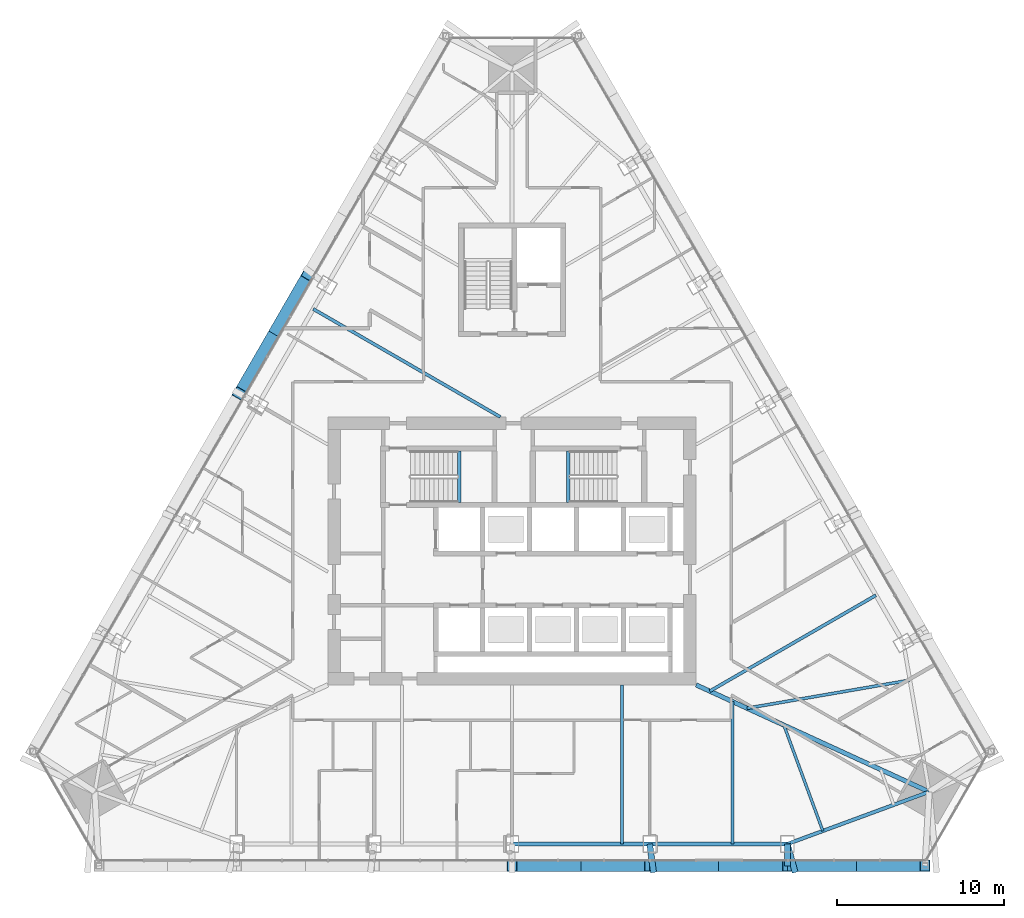
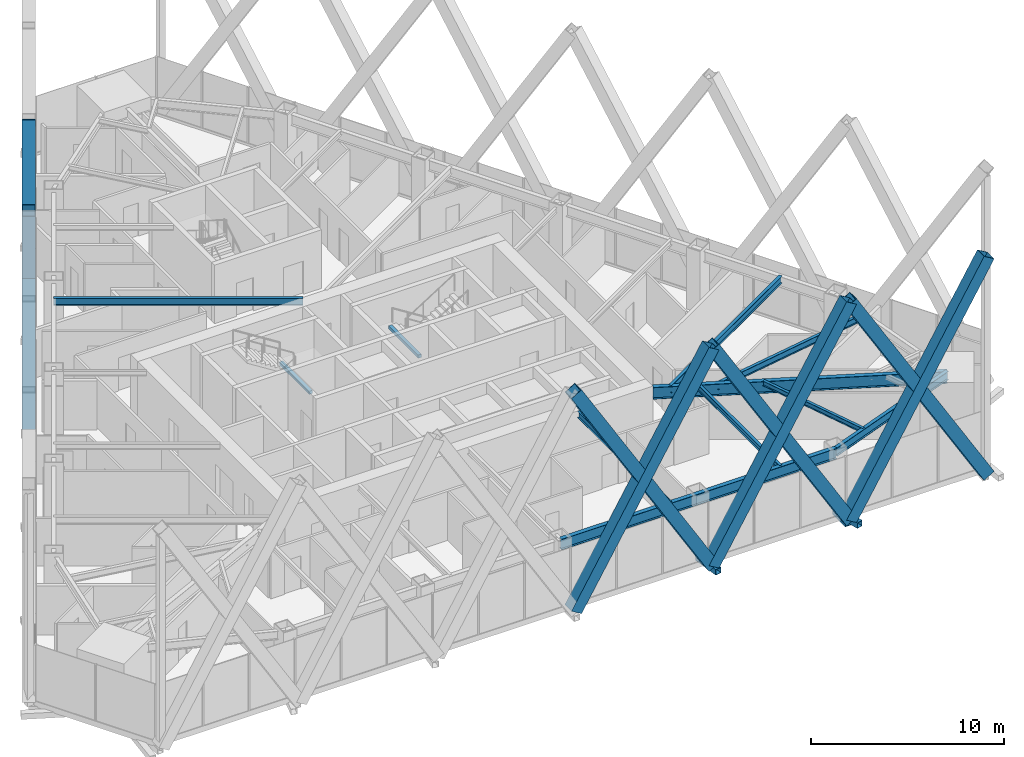
# One storey, part 6 of 19: 11 beams, 11 members.
"""IFC4 building model written with IfcOpenShell, lengths in metres."""

import ifcopenshell
import ifcopenshell.guid

model = None  # the IFC model being written
_history = None  # IfcOwnerHistory: only IFC2X3 demands one
_inside = {}  # id of a spatial element -> (the spatial element, [elements in it])
_under = {}  # id of a project, library or spatial element -> (it, [spatial elements below it])
_declared = {}  # id of a project -> (the project, [libraries it declares])
_typed = {}  # id of a type object -> (the type object, [elements of that type])
_made_of = {}  # id of a material, layer set ... -> (it, [elements and type objects made of it])


def new_model(schema):
    """Start an empty IFC model of exactly this schema.

    Asked for "IFC4X3", IfcOpenShell would pick the latest addendum, in which some entities
    have other attributes; the version numbers below select the first issue.
    IFC2X3 requires an IfcOwnerHistory on every rooted entity: one is made here for all.
    """
    global model, _history
    if schema == "IFC4X3":
        model = ifcopenshell.file(schema_version=(4, 3, 0, 0))
    else:
        model = ifcopenshell.file(schema=schema)
    _inside.clear()
    _under.clear()
    _declared.clear()
    _typed.clear()
    _made_of.clear()
    _history = None
    if model.schema == "IFC2X3":
        org = make("IfcOrganization", Name="unknown")
        user = make(
            "IfcPersonAndOrganization",
            ThePerson=make("IfcPerson", FamilyName="unknown"),
            TheOrganization=org,
        )
        app = make(
            "IfcApplication",
            ApplicationDeveloper=org,
            Version="unknown",
            ApplicationFullName="unknown",
            ApplicationIdentifier="unknown",
        )
        _history = make(
            "IfcOwnerHistory",
            OwningUser=user,
            OwningApplication=app,
            ChangeAction="ADDED",
            CreationDate=0,
        )
    return model


def make(cls, **values):
    """One entity of the class cls with the attributes given. An attribute that is None is left unset."""
    return model.create_entity(
        cls, **{name: value for name, value in values.items() if value is not None}
    )


def rooted(cls, **values):
    """An entity with a GlobalId (a new one), such as an element, a storey or a relation."""
    return make(cls, GlobalId=ifcopenshell.guid.new(), OwnerHistory=_history, **values)


def si_unit(unit_type, name, prefix=None):
    """IfcSIUnit, for example si_unit("LENGTHUNIT", "METRE", prefix="MILLI")."""
    return make("IfcSIUnit", UnitType=unit_type, Prefix=prefix, Name=name)


def assignment(units):
    """IfcUnitAssignment: the units of a project."""
    return None if units is None else make("IfcUnitAssignment", Units=units)


def point(xyz):
    """IfcCartesianPoint."""
    return None if xyz is None else make("IfcCartesianPoint", Coordinates=xyz)


def direction(xyz):
    """IfcDirection."""
    return None if xyz is None else make("IfcDirection", DirectionRatios=xyz)


def frame(location, z_axis=None, x_axis=None):
    """IfcAxis2Placement3D, a coordinate frame: its origin and axes. An axis left out is left unset."""
    return make(
        "IfcAxis2Placement3D",
        Location=point(location),
        Axis=direction(z_axis),
        RefDirection=direction(x_axis),
    )


def frame_2d(location, x_axis=None):
    """IfcAxis2Placement2D, a coordinate frame in the plane: its origin and x axis."""
    return make(
        "IfcAxis2Placement2D", Location=point(location), RefDirection=direction(x_axis)
    )


def origin():
    """The frame at (0, 0, 0) with its axes left unset."""
    return frame((0.0, 0.0, 0.0))


def origin_2d():
    """The frame at (0, 0) in the plane with its x axis left unset."""
    return frame_2d((0.0, 0.0))


def place(relative_to, where):
    """IfcLocalPlacement: puts the frame where relative to a parent placement (None: the world)."""
    return make(
        "IfcLocalPlacement", PlacementRelTo=relative_to, RelativePlacement=where
    )


def context(
    kind, dimensions, precision=None, world=None, true_north=None, identifier=None
):
    """IfcGeometricRepresentationContext, for example the 3D "Model" context."""
    return make(
        "IfcGeometricRepresentationContext",
        ContextIdentifier=identifier,
        ContextType=kind,
        CoordinateSpaceDimension=dimensions,
        Precision=precision,
        WorldCoordinateSystem=world,
        TrueNorth=true_north,
    )


def subcontext(parent, identifier, kind, view, scale=None):
    """IfcGeometricRepresentationSubContext, for example "Body" below "Model"."""
    return make(
        "IfcGeometricRepresentationSubContext",
        ContextIdentifier=identifier,
        ContextType=kind,
        ParentContext=parent,
        TargetScale=scale,
        TargetView=view,
    )


def project(units=None, contexts=None):
    """IfcProject with its units and contexts."""
    return rooted(
        "IfcProject",
        Name="project",
        RepresentationContexts=contexts,
        UnitsInContext=assignment(units),
    )


def spatial(cls, under=None, at=None, **own):
    """A site, building, storey or space (cls), placed at a placement, below another one or the project."""
    s = rooted(cls, ObjectPlacement=at, **own)
    if under is not None:
        _under.setdefault(under.id(), (under, []))[1].append(s)
    return s


def profile(cls, at=None, kind="AREA", **sizes):
    """A parametric profile (cls). Its sizes go by their IFC names, for example OverallWidth=200.0."""
    return make(cls, ProfileType=kind, Position=at, **sizes)


def rectangle(**sizes):
    """IfcRectangleProfileDef."""
    return profile("IfcRectangleProfileDef", **sizes)


def hollow_rectangle(**sizes):
    """IfcRectangleHollowProfileDef."""
    return profile("IfcRectangleHollowProfileDef", **sizes)


def i_section(**sizes):
    """IfcIShapeProfileDef."""
    return profile("IfcIShapeProfileDef", **sizes)


def extrude(swept, where, along, depth):
    """IfcExtrudedAreaSolid: the profile swept, set in the frame where, extruded along a direction by depth."""
    return make(
        "IfcExtrudedAreaSolid",
        SweptArea=swept,
        Position=where,
        ExtrudedDirection=direction(along),
        Depth=depth,
    )


def shape(context_of_items, identifier, shape_type, items):
    """IfcShapeRepresentation: the items that make up one representation, for example the "Body"."""
    return make(
        "IfcShapeRepresentation",
        ContextOfItems=context_of_items,
        RepresentationIdentifier=identifier,
        RepresentationType=shape_type,
        Items=items,
    )


def material(Name=None, Category=None):
    """IfcMaterial."""
    return make("IfcMaterial", Name=Name, Category=Category)


def material_profile(
    of_material, cross_section, Name=None, Category=None, Priority=None
):
    """IfcMaterialProfile: a cross section and its material."""
    return make(
        "IfcMaterialProfile",
        Name=Name,
        Material=of_material,
        Profile=cross_section,
        Priority=Priority,
        Category=Category,
    )


def profile_set(profiles, Name=None, composite=None):
    """IfcMaterialProfileSet."""
    return make(
        "IfcMaterialProfileSet",
        Name=Name,
        MaterialProfiles=profiles,
        CompositeProfile=composite,
    )


def made_of(thing, what):
    """Note that an element or type object is made of a material, layer set ...; save() writes the relation."""
    if what is not None:
        _made_of.setdefault(what.id(), (what, []))[1].append(thing)
    return thing


def type_object(cls, material=None, **own):
    """A type object (cls), such as IfcWallType, which elements share."""
    return made_of(rooted(cls, **own), material)


def element(
    cls,
    number,
    at=None,
    inside=None,
    cuts=None,
    type_object=None,
    material=None,
    context=None,
    identifier="Body",
    shape_type=None,
    held_by="IfcProductDefinitionShape",
    body=None,
    shapes=None,
    **own,
):
    """One element of the class cls, such as IfcWall. Its Tag is "e" and its number.

    at: its placement. inside: the storey or other place that contains it. cuts: it is an
    opening in that element (IfcRelVoidsElement). A single representation is given by context,
    identifier, shape_type and body (its items); several are given by shapes. held_by: the class
    of the entity that holds the representations. save() writes the other relations.
    """
    e = rooted(cls, Tag="e%d" % number, ObjectPlacement=at, **own)
    if body is not None:
        shapes = [shape(context, identifier, shape_type, body)]
    if shapes is not None:
        e.Representation = make(held_by, Representations=shapes)
    if inside is not None:
        _inside.setdefault(inside.id(), (inside, []))[1].append(e)
    if cuts is not None:
        rooted(
            "IfcRelVoidsElement", RelatingBuildingElement=cuts, RelatedOpeningElement=e
        )
    if type_object is not None:
        _typed.setdefault(type_object.id(), (type_object, []))[1].append(e)
    return made_of(e, material)


def aggregate(whole, parts):
    """IfcRelAggregates: a whole, such as a stair, and the parts it consists of."""
    return rooted("IfcRelAggregates", RelatingObject=whole, RelatedObjects=parts)


def save(model, path):
    """Write the relations noted so far, then the file.

    IfcRelAggregates (storeys below a building ...), IfcRelContainedInSpatialStructure (elements
    in a storey), IfcRelDefinesByType, IfcRelAssociatesMaterial and IfcRelDeclares: one each for
    every whole, place, type object, material and project.
    """
    for whole, parts in _under.values():
        aggregate(whole, parts)
    for where, things in _inside.values():
        rooted(
            "IfcRelContainedInSpatialStructure",
            RelatedElements=things,
            RelatingStructure=where,
        )
    for kind, things in _typed.values():
        rooted("IfcRelDefinesByType", RelatedObjects=things, RelatingType=kind)
    for what, things in _made_of.values():
        rooted("IfcRelAssociatesMaterial", RelatedObjects=things, RelatingMaterial=what)
    for by, libraries in _declared.values():
        rooted("IfcRelDeclares", RelatingContext=by, RelatedDefinitions=libraries)
    model.write(path)


model = new_model("IFC4")

# Units and contexts
model_context = context("Model", 3, precision=1e-05, world=origin(), true_north=direction((0.0, 1.0)))
body_context = subcontext(model_context, "Body", "Model", "MODEL_VIEW")
ifc_project = project(units=[si_unit("LENGTHUNIT", "METRE"), si_unit("AREAUNIT", "SQUARE_METRE"), si_unit("VOLUMEUNIT", "CUBIC_METRE"), si_unit("PLANEANGLEUNIT", "RADIAN"), si_unit("MASSUNIT", "GRAM", prefix="KILO")], contexts=[model_context])

# Site, building, storey
site_placement = place(None, origin())
site = spatial("IfcSite", under=ifc_project, at=site_placement, CompositionType="ELEMENT")
building_placement = place(site_placement, origin())
building = spatial("IfcBuilding", under=site, at=building_placement, Name="Firuza Gate Tower and Library", CompositionType="ELEMENT")
storey_placement = place(building_placement, frame((0.0, 0.0, 233.800048828125)))
storey = spatial("IfcBuildingStorey", under=building, at=storey_placement, Name="L55", CompositionType="ELEMENT", Elevation=233.800048828125)

# Members
ifc_material_1 = material(Name="Steel S355", Category="steel")
ifc_material_profile_1 = material_profile(ifc_material_1, hollow_rectangle(XDim=0.699951171875, YDim=0.699951171875, WallThickness=0.030029296875, at=origin_2d()))
ifc_profile_set_1 = profile_set([ifc_material_profile_1], Name="Steel S355")
member_type_1 = type_object("IfcMemberType", Name="BU700x700x30 Lattice brace", PredefinedType="BRACE", material=ifc_profile_set_1)
for number, where, z_axis, x_axis, name in (
    (1, (75.0, 56.196044921875, 0.0), (0.512001797695, 0.0, 0.85898437655), (0.0, 1.0, 0.0), "Lattice brace S 13.4R"),
    (2, (83.2255859375, 56.196044921875, 0.0), (-0.512001797695, 0.0, 0.85898437655), (0.0, -1.0, 0.0), "Lattice brace S 13.4L"),
    (3, (83.2255859375, 56.196044921875, 0.0), (0.512001797695, 0.0, 0.85898437655), (0.0, 1.0, 0.0), "Lattice brace S 13.5R"),
    (4, (91.451171875, 56.196044921875, 0.0), (-0.512001797695, 0.0, 0.85898437655), (0.0, -1.0, 0.0), "Lattice brace S 13.5L"),
    (5, (91.451171875, 56.196044921875, 0.0), (0.511990584735, 0.0, 0.85899105999), (0.0, 1.0, 0.0), "Lattice brace S 13.6R"),
    (6, (99.676513671875, 56.196044921875, 0.0), (-0.511990584735, 0.0, 0.85899105999), (0.0, -1.0, 0.0), "Lattice brace S 13.6L"),
    (7, (62.828125, 91.525634765625, 0.0), (-0.256001119482, -0.443405002033, 0.858985116865), (0.866024454709, -0.500001643842, 0.0), "Lattice brace W 13.3R"),
    (8, (58.71533203125, 84.402099609375, 0.0), (0.256001119482, 0.443405002033, 0.858985116865), (-0.866024454709, 0.500001643842, 0.0), "Lattice brace W 13.3L"),
):
    element("IfcMember", number, at=place(storey_placement, frame(where, z_axis=z_axis, x_axis=x_axis)), inside=storey, type_object=member_type_1, Name=name, PredefinedType="BRACE", context=body_context, shape_type="SweptSolid", body=[
        extrude(hollow_rectangle(XDim=0.699951171875, YDim=0.699951171875, WallThickness=0.030029296875, at=origin_2d()), origin(), (0.0, 0.0, 1.0), 16.0654296875),
    ])
ifc_material_2 = material(Name="Steel S355", Category="steel")
ifc_material_profile_2 = material_profile(ifc_material_2, hollow_rectangle(XDim=0.355712890625, YDim=0.355712890625, WallThickness=0.014892578125, at=origin_2d()))
ifc_profile_set_2 = profile_set([ifc_material_profile_2], Name="Steel S355")
member_type_2 = type_object("IfcMemberType", Name="HSS356x356x16 Lattice node tie", PredefinedType="BRACE", material=ifc_profile_set_2)
member_1_placement = place(storey_placement, frame((83.2255859375, 57.49609375, -0.320068359375), z_axis=(0.13415982244, -0.990959707578, 0.0), x_axis=(0.990959707578, 0.13415982244, 0.0)))
element("IfcMember", 9, at=member_1_placement, inside=storey, type_object=member_type_2, Name="Lattice node tie S L55 306", PredefinedType="BRACE", context=body_context, shape_type="SweptSolid", body=[
    extrude(hollow_rectangle(XDim=0.355712890625, YDim=0.355712890625, WallThickness=0.014892578125, at=origin_2d()), origin(), (0.0, 0.0, 1.0), 1.714111328125),
])
member_2_placement = place(storey_placement, frame((91.451171875, 57.49609375, -0.320068359375), z_axis=(0.261485479659, -0.965207409797, 0.0), x_axis=(0.965207409797, 0.261485479659, 0.0)))
element("IfcMember", 10, at=member_2_placement, inside=storey, type_object=member_type_2, Name="Lattice node tie S L55 307", PredefinedType="BRACE", context=body_context, shape_type="SweptSolid", body=[
    extrude(hollow_rectangle(XDim=0.355712890625, YDim=0.355712890625, WallThickness=0.014892578125, at=origin_2d()), origin(), (0.0, 0.0, 1.0), 1.760009765625),
])
member_3_placement = place(storey_placement, frame((91.451171875, 57.49609375, -0.320068359375), z_axis=(0.0, -1.0, 0.0), x_axis=(1.0, 0.0, 0.0)))
element("IfcMember", 11, at=member_3_placement, inside=storey, type_object=member_type_2, Name="Lattice node tie S L55 308", PredefinedType="BRACE", context=body_context, shape_type="SweptSolid", body=[
    extrude(hollow_rectangle(XDim=0.355712890625, YDim=0.355712890625, WallThickness=0.014892578125, at=origin_2d()), origin(), (0.0, 0.0, 1.0), 1.300048828125),
])

# Beams
ifc_material_3 = material(Name="Concrete C35/45", Category="concrete")
ifc_material_profile_3 = material_profile(ifc_material_3, rectangle(XDim=0.199951171875, YDim=0.199951171875, at=origin_2d()))
ifc_profile_set_3 = profile_set([ifc_material_profile_3], Name="Concrete C35/45")
beam_type_1 = type_object("IfcBeamType", Name="Stair landing bearer 200x200", PredefinedType="BEAM", material=ifc_profile_set_3)
for number, where, z_axis, x_axis, name in (
    (12, (71.840087890625, 77.89990234375, 1.64990234375), (0.0, 1.0, 0.0), (-1.0, 0.0, 0.0), "Landing bearer L55 stair 1"),
    (13, (78.360107421875, 80.97998046875, 1.64990234375), (0.0, -1.0, 0.0), (1.0, 0.0, 0.0), "Landing bearer L55 stair 2"),
):
    element("IfcBeam", number, at=place(storey_placement, frame(where, z_axis=z_axis, x_axis=x_axis)), inside=storey, type_object=beam_type_1, Name=name, PredefinedType="BEAM", context=body_context, shape_type="SweptSolid", body=[
        extrude(rectangle(XDim=0.199951171875, YDim=0.199951171875, at=origin_2d()), origin(), (0.0, 0.0, 1.0), 3.080078125),
    ])
ifc_material_4 = material(Name="Steel S355", Category="steel")
ifc_material_profile_4 = material_profile(ifc_material_4, i_section(OverallWidth=0.1650390625, OverallDepth=0.31005859375, WebThickness=0.005859375, FlangeThickness=0.009765625, at=origin_2d()))
ifc_profile_set_4 = profile_set([ifc_material_profile_4], Name="Steel S355")
beam_type_2 = type_object("IfcBeamType", Name="W310x39 Floor beam", PredefinedType="JOIST", material=ifc_profile_set_4)
beam_1_placement = place(storey_placement, frame((93.56787109375, 58.275390625, 3.544921875), z_axis=(-0.3455793619, 0.938389527131, 0.0), x_axis=(-0.938389527131, -0.3455793619, 0.0)))
element("IfcBeam", 14, at=beam_1_placement, inside=storey, type_object=beam_type_2, Name="Floor beam L55 s30", PredefinedType="JOIST", context=body_context, shape_type="SweptSolid", body=[
    extrude(i_section(OverallWidth=0.1650390625, OverallDepth=0.31005859375, WebThickness=0.005859375, FlangeThickness=0.009765625, at=origin_2d()), origin(), (0.0, 0.0, 1.0), 6.73486328125),
])
ifc_material_5 = material(Name="Steel S355", Category="steel")
ifc_material_profile_5 = material_profile(ifc_material_5, i_section(OverallWidth=0.1708984375, OverallDepth=0.35498046875, WebThickness=0.007080078125, FlangeThickness=0.01171875, at=origin_2d()))
ifc_profile_set_5 = profile_set([ifc_material_profile_5], Name="Steel S355")
beam_type_3 = type_object("IfcBeamType", Name="W360x51 Floor beam", PredefinedType="JOIST", material=ifc_profile_set_5)
beam_2_placement = place(storey_placement, frame((88.160888671875, 57.49609375, 3.5224609375), z_axis=(0.0, 1.0, 0.0), x_axis=(-1.0, 0.0, 0.0)))
element("IfcBeam", 15, at=beam_2_placement, inside=storey, type_object=beam_type_3, Name="Floor beam L55 s24", PredefinedType="JOIST", context=body_context, shape_type="SweptSolid", body=[
    extrude(i_section(OverallWidth=0.1708984375, OverallDepth=0.35498046875, WebThickness=0.007080078125, FlangeThickness=0.01171875, at=origin_2d()), origin(), (0.0, 0.0, 1.0), 8.512451171875),
])
ifc_material_6 = material(Name="Steel S355", Category="steel")
ifc_material_profile_6 = material_profile(ifc_material_6, i_section(OverallWidth=0.177978515625, OverallDepth=0.406982421875, WebThickness=0.0078125, FlangeThickness=0.0126953125, at=origin_2d()))
ifc_profile_set_6 = profile_set([ifc_material_profile_6], Name="Steel S355")
beam_type_4 = type_object("IfcBeamType", Name="W410x60 Floor beam", PredefinedType="JOIST", material=ifc_profile_set_6)
beam_3_placement = place(storey_placement, frame((81.580322265625, 57.49609375, 3.496337890625), z_axis=(0.0, 1.0, 0.0), x_axis=(-1.0, 0.0, 0.0)))
element("IfcBeam", 16, at=beam_3_placement, inside=storey, type_object=beam_type_4, Name="Floor beam L55 s23", PredefinedType="JOIST", context=body_context, shape_type="SweptSolid", body=[
    extrude(i_section(OverallWidth=0.177978515625, OverallDepth=0.406982421875, WebThickness=0.0078125, FlangeThickness=0.0126953125, at=origin_2d()), origin(), (0.0, 0.0, 1.0), 9.50390625),
])
beam_4_placement = place(storey_placement, frame((98.767822265625, 67.2822265625, 3.496337890625), z_axis=(-0.985452403009, -0.169951644313, 0.0), x_axis=(0.169951644313, -0.985452403009, 0.0)))
element("IfcBeam", 17, at=beam_4_placement, inside=storey, type_object=beam_type_4, Name="Floor beam L55 s41", PredefinedType="JOIST", context=body_context, shape_type="SweptSolid", body=[
    extrude(i_section(OverallWidth=0.177978515625, OverallDepth=0.406982421875, WebThickness=0.0078125, FlangeThickness=0.0126953125, at=origin_2d()), origin(), (0.0, 0.0, 1.0), 9.870361328125),
])
ifc_material_7 = material(Name="Steel S355", Category="steel")
ifc_material_profile_7 = material_profile(ifc_material_7, i_section(OverallWidth=0.18994140625, OverallDepth=0.45703125, WebThickness=0.009033203125, FlangeThickness=0.014404296875, at=origin_2d()))
ifc_profile_set_7 = profile_set([ifc_material_profile_7], Name="Steel S355")
beam_type_5 = type_object("IfcBeamType", Name="W460x74 Floor beam", PredefinedType="JOIST", material=ifc_profile_set_7)
beam_5_placement = place(storey_placement, frame((96.7392578125, 72.354248046875, 3.471435546875), z_axis=(-0.866023783073, -0.500002807145, 0.0), x_axis=(0.500002807145, -0.866023783073, 0.0)))
element("IfcBeam", 18, at=beam_5_placement, inside=storey, type_object=beam_type_5, Name="Floor beam L55 s50", PredefinedType="JOIST", context=body_context, shape_type="SweptSolid", body=[
    extrude(i_section(OverallWidth=0.18994140625, OverallDepth=0.45703125, WebThickness=0.009033203125, FlangeThickness=0.014404296875, at=origin_2d()), origin(), (0.0, 0.0, 1.0), 11.4580078125),
])
beam_6_placement = place(storey_placement, frame((63.13134765625, 89.450927734375, 3.471435546875), z_axis=(0.866020774712, -0.500008017704, 0.0), x_axis=(0.500008017704, 0.866020774712, 0.0)))
element("IfcBeam", 19, at=beam_6_placement, inside=storey, type_object=beam_type_5, Name="Floor beam L55 s81", PredefinedType="JOIST", context=body_context, shape_type="SweptSolid", body=[
    extrude(i_section(OverallWidth=0.18994140625, OverallDepth=0.45703125, WebThickness=0.009033203125, FlangeThickness=0.014404296875, at=origin_2d()), origin(), (0.0, 0.0, 1.0), 12.901611328125),
])
ifc_material_8 = material(Name="Steel S355", Category="steel")
ifc_material_profile_8 = material_profile(ifc_material_8, i_section(OverallWidth=0.212890625, OverallDepth=0.5390625, WebThickness=0.01171875, FlangeThickness=0.018798828125, at=origin_2d()))
ifc_profile_set_8 = profile_set([ifc_material_profile_8], Name="Steel S355")
beam_type_6 = type_object("IfcBeamType", Name="W530x109 Edge beam", PredefinedType="SPANDREL", material=ifc_profile_set_8)
beam_7_placement = place(storey_placement, frame((91.451171875, 57.49609375, 3.430419921875), z_axis=(0.938399929304, 0.345551114427, 0.0), x_axis=(-0.345551114427, 0.938399929304, 0.0)))
element("IfcBeam", 20, at=beam_7_placement, inside=storey, type_object=beam_type_6, Name="Edge beam L55 e30", PredefinedType="SPANDREL", context=body_context, shape_type="SweptSolid", body=[
    extrude(i_section(OverallWidth=0.212890625, OverallDepth=0.5390625, WebThickness=0.01171875, FlangeThickness=0.018798828125, at=origin_2d()), origin(), (0.0, 0.0, 1.0), 9.022216796875),
])
ifc_material_9 = material(Name="Steel S355", Category="steel")
ifc_material_profile_9 = material_profile(ifc_material_9, i_section(OverallWidth=0.2529296875, OverallDepth=0.677978515625, WebThickness=0.01171875, FlangeThickness=0.016357421875, at=origin_2d()))
ifc_profile_set_9 = profile_set([ifc_material_profile_9], Name="Steel S355")
beam_type_7 = type_object("IfcBeamType", Name="W690x125 Edge beam", PredefinedType="SPANDREL", material=ifc_profile_set_9)
beam_8_placement = place(storey_placement, frame((75.0, 57.49609375, 3.36083984375), z_axis=(1.0, 0.0, 0.0), x_axis=(0.0, 1.0, 0.0)))
element("IfcBeam", 21, at=beam_8_placement, inside=storey, type_object=beam_type_7, Name="Edge beam L55 e22", PredefinedType="SPANDREL", context=body_context, shape_type="SweptSolid", body=[
    extrude(i_section(OverallWidth=0.2529296875, OverallDepth=0.677978515625, WebThickness=0.01171875, FlangeThickness=0.016357421875, at=origin_2d()), origin(), (0.0, 0.0, 1.0), 16.451171875),
])
ifc_material_10 = material(Name="Steel S355", Category="steel")
ifc_material_profile_10 = material_profile(ifc_material_10, i_section(OverallWidth=0.264892578125, OverallDepth=0.7529296875, WebThickness=0.01318359375, FlangeThickness=0.01708984375, at=origin_2d()))
ifc_profile_set_10 = profile_set([ifc_material_profile_10], Name="Steel S355")
beam_type_8 = type_object("IfcBeamType", Name="W760x147 Girder", PredefinedType="BEAM", material=ifc_profile_set_10)
beam_9_placement = place(storey_placement, frame((99.917724609375, 60.61376953125, 3.323486328125), z_axis=(-0.908884831749, 0.417047194711, 0.0), x_axis=(-0.417047194711, -0.908884831749, 0.0)))
element("IfcBeam", 22, at=beam_9_placement, inside=storey, type_object=beam_type_8, Name="Girder L55 gSE", PredefinedType="BEAM", context=body_context, shape_type="SweptSolid", body=[
    extrude(i_section(OverallWidth=0.264892578125, OverallDepth=0.7529296875, WebThickness=0.01318359375, FlangeThickness=0.01708984375, at=origin_2d()), origin(), (0.0, 0.0, 1.0), 15.31298828125),
])

save(model, "model.ifc")
